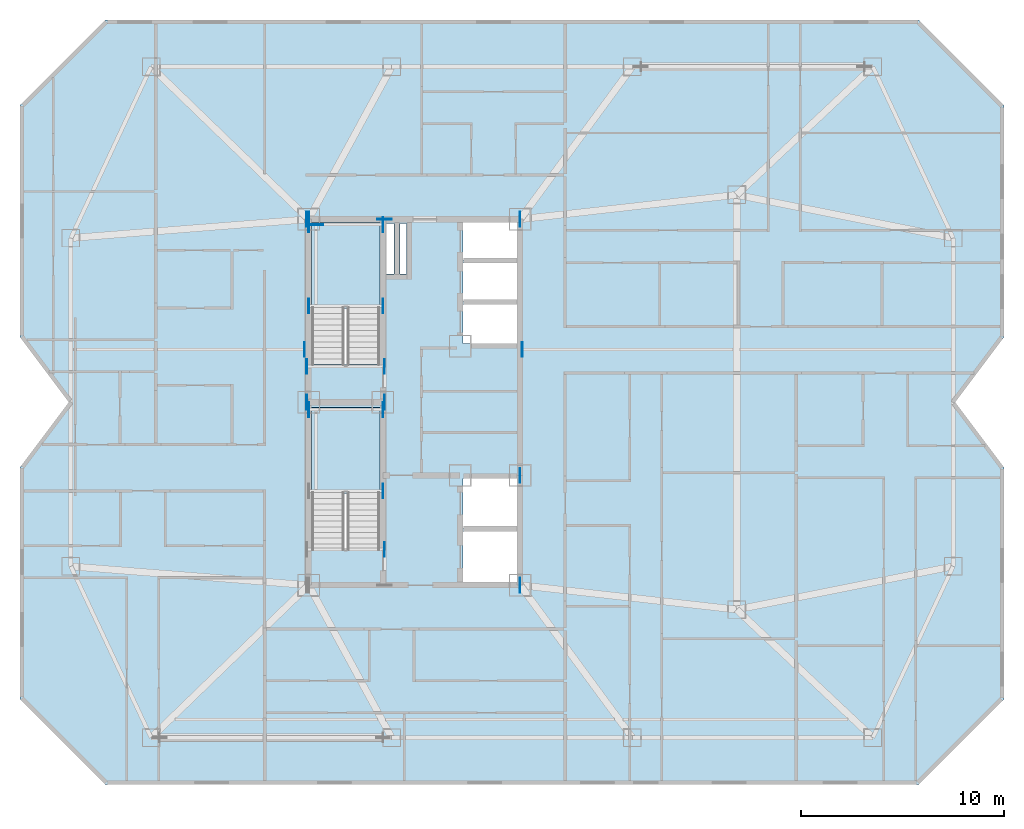
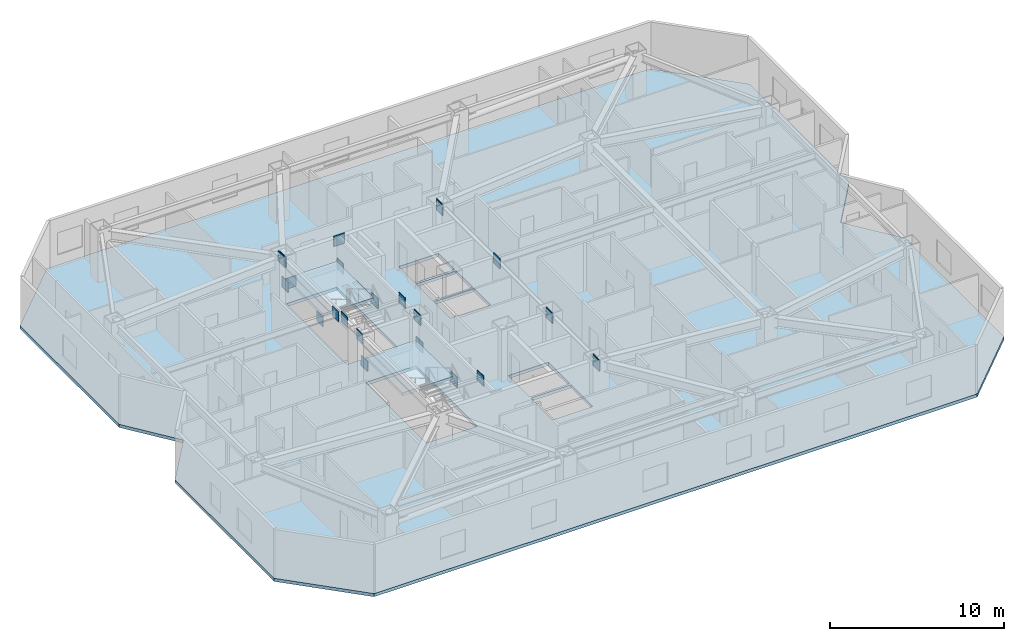
# One storey, part 2 of 11: 23 plates, 3 slabs, 2 elements without a shape of their own.
"""IFC4 building model written with IfcOpenShell, lengths in metres."""

from ifc_helpers import new_model, si_unit, direction, frame, origin, origin_2d, place, context, subcontext, project, spatial, polyline, rectangle, outline, extrude, material, layer, layer_set, type_object, element, aggregate, save


model = new_model("IFC4")

# Units and contexts
model_context = context("Model", 3, precision=1e-05, world=origin(), true_north=direction((0.0, 1.0)))
body_context = subcontext(model_context, "Body", "Model", "MODEL_VIEW")
ifc_project = project(units=[si_unit("LENGTHUNIT", "METRE"), si_unit("AREAUNIT", "SQUARE_METRE"), si_unit("VOLUMEUNIT", "CUBIC_METRE"), si_unit("PLANEANGLEUNIT", "RADIAN"), si_unit("MASSUNIT", "GRAM", prefix="KILO")], contexts=[model_context])

# Site, building, storey
site_placement = place(None, origin())
site = spatial("IfcSite", under=ifc_project, at=site_placement, CompositionType="ELEMENT")
building_placement = place(site_placement, origin())
building = spatial("IfcBuilding", under=site, at=building_placement, Name="Khamvora Tower", CompositionType="ELEMENT")
storey_placement = place(building_placement, frame((0.0, 0.0, 174.14990234375)))
storey = spatial("IfcBuildingStorey", under=building, at=storey_placement, Name="L44", CompositionType="ELEMENT", Elevation=174.14990234375)

# Plates
ifc_material_1 = material(Name="Steel S460", Category="steel")
ifc_layer_1 = layer(ifc_material_1, 0.034912109375)
ifc_layer_set_1 = layer_set([ifc_layer_1], Name="Steel S460")
plate_type = type_object("IfcPlateType", Name="PL-EMB-35", PredefinedType="SHEET", material=ifc_layer_set_1)
for number, where, z_axis, x_axis, name in (
    (1, (32.64990234375, 23.635009765625, 1.13427734375), (0.0, 0.0, 1.0), (1.0, 0.0, 0.0), "L44 core shear wall cast-in embed plate 1283"),
    (2, (29.0, 27.6298828125, 1.13427734375), (0.0, 0.0, 1.0), (1.0, 0.0, 0.0), "L44 core shear wall cast-in embed plate 1284"),
    (3, (32.64990234375, 27.6298828125, 1.13427734375), (0.0, 0.0, 1.0), (1.0, 0.0, 0.0), "L44 core shear wall cast-in embed plate 1285"),
    (4, (29.0, 32.735107421875, 1.13427734375), (0.0, 0.0, 1.0), (1.0, 0.0, 0.0), "L44 core shear wall cast-in embed plate 1286"),
    (5, (32.64990234375, 32.735107421875, 1.13427734375), (0.0, 0.0, 1.0), (1.0, 0.0, 0.0), "L44 core shear wall cast-in embed plate 1287"),
    (6, (29.0, 36.72998046875, 1.13427734375), (0.0, 0.0, 1.0), (1.0, 0.0, 0.0), "L44 core shear wall cast-in embed plate 1288"),
    (7, (32.64990234375, 36.72998046875, 1.13427734375), (0.0, 0.0, 1.0), (1.0, 0.0, 0.0), "L44 core shear wall cast-in embed plate 1289"),
):
    element("IfcPlate", number, at=place(storey_placement, frame(where, z_axis=z_axis, x_axis=x_axis)), inside=storey, type_object=plate_type, Name=name, PredefinedType="SHEET", context=body_context, shape_type="SweptSolid", body=[
        extrude(rectangle(XDim=0.034912109375, YDim=0.719970703125, at=origin_2d()), origin(), (0.0, 0.0, 1.0), 0.719970703125),
    ])
plate_1_placement = place(storey_placement, frame((29.35009765625, 36.72998046875, 1.13427734375), z_axis=(0.0, 0.0, 1.0), x_axis=(1.0, 0.0, 0.0)))
element("IfcPlate", 8, at=plate_1_placement, inside=storey, type_object=plate_type, Name="L44 core shear wall cast-in embed plate 1290", PredefinedType="SHEET", context=body_context, shape_type="SweptSolid", body=[
    extrude(rectangle(XDim=0.719970703125, YDim=0.034912109375, at=origin_2d()), origin(), (0.0, 0.0, 1.0), 0.719970703125),
])
for number, where, z_axis, x_axis, name in (
    (9, (39.39990234375, 19.0, 2.72314453125), (0.0, 0.0, 1.0), (1.0, 0.0, 0.0), "L44 core shear wall cast-in embed plate 1292"),
    (10, (29.0, 37.0, 2.72314453125), (0.0, 0.0, 1.0), (1.0, 0.0, 0.0), "L44 core shear wall cast-in embed plate 1293"),
    (11, (39.39990234375, 37.0, 2.72314453125), (0.0, 0.0, 1.0), (1.0, 0.0, 0.0), "L44 core shear wall cast-in embed plate 1294"),
    (12, (28.89990234375, 28.0, 2.80419921875), (0.0, 0.0, 1.0), (1.0, 0.0, 0.0), "L44 core shear wall cast-in embed plate 1296"),
    (13, (28.89990234375, 37.0, 2.80419921875), (0.0, 0.0, 1.0), (1.0, 0.0, 0.0), "L44 core shear wall cast-in embed plate 1297"),
    (14, (32.72998046875, 28.0, 2.80419921875), (0.0, 0.0, 1.0), (1.0, 0.0, 0.0), "L44 core shear wall cast-in embed plate 1299"),
):
    element("IfcPlate", number, at=place(storey_placement, frame(where, z_axis=z_axis, x_axis=x_axis)), inside=storey, type_object=plate_type, Name=name, PredefinedType="SHEET", context=body_context, shape_type="SweptSolid", body=[
        extrude(rectangle(XDim=0.034912109375, YDim=0.719970703125, at=origin_2d()), origin(), (0.0, 0.0, 1.0), 0.719970703125),
    ])
plate_2_placement = place(storey_placement, frame((32.72998046875, 37.0, 2.80419921875), z_axis=(0.0, 0.0, 1.0), x_axis=(1.0, 0.0, 0.0)))
element("IfcPlate", 15, at=plate_2_placement, inside=storey, type_object=plate_type, Name="L44 core shear wall cast-in embed plate 1300", PredefinedType="SHEET", context=body_context, shape_type="SweptSolid", body=[
    extrude(rectangle(XDim=0.719970703125, YDim=0.034912109375, at=origin_2d()), origin(), (0.0, 0.0, 1.0), 0.719970703125),
])
for number, where, z_axis, x_axis, name in (
    (16, (39.39990234375, 19.0, 2.80419921875), (0.0, 0.0, 1.0), (1.0, 0.0, 0.0), "L44 core shear wall cast-in embed plate 1301"),
    (17, (39.39990234375, 24.39990234375, 2.80419921875), (0.0, 0.0, 1.0), (1.0, 0.0, 0.0), "L44 core shear wall cast-in embed plate 1302"),
    (18, (39.39990234375, 37.0, 2.80419921875), (0.0, 0.0, 1.0), (1.0, 0.0, 0.0), "L44 core shear wall cast-in embed plate 1303"),
    (19, (32.72998046875, 20.75, 2.9443359375), (0.0, 0.0, 1.0), (1.0, 0.0, 0.0), "L44 core shear wall cast-in embed plate 1305"),
    (20, (28.89990234375, 29.75, 2.9443359375), (0.0, 0.0, 1.0), (1.0, 0.0, 0.0), "L44 core shear wall cast-in embed plate 1306"),
    (21, (32.72998046875, 29.75, 2.9443359375), (0.0, 0.0, 1.0), (1.0, 0.0, 0.0), "L44 core shear wall cast-in embed plate 1307"),
    (22, (28.800048828125, 30.60009765625, 2.84130859375), (0.0, 0.0, 1.0), (1.0, 0.0, 0.0), "L44 core shear wall cast-in embed plate 1308"),
    (23, (39.4990234375, 30.60009765625, 2.84130859375), (0.0, 0.0, 1.0), (1.0, 0.0, 0.0), "L44 core shear wall cast-in embed plate 1309"),
):
    element("IfcPlate", number, at=place(storey_placement, frame(where, z_axis=z_axis, x_axis=x_axis)), inside=storey, type_object=plate_type, Name=name, PredefinedType="SHEET", context=body_context, shape_type="SweptSolid", body=[
        extrude(rectangle(XDim=0.034912109375, YDim=0.719970703125, at=origin_2d()), origin(), (0.0, 0.0, 1.0), 0.719970703125),
    ])

# Stair, slab
ifc_material_2 = material(Name="Concrete C40/50", Category="concrete")
stair_type_1 = type_object("IfcStairType", Name="STR-ST-01", PredefinedType="HALF_TURN_STAIR", material=ifc_material_2)
stair_1_placement = place(storey_placement, origin())
stair_1 = element("IfcStair", 24, at=stair_1_placement, inside=storey, type_object=stair_type_1, Name="L44 South Tower Exit Stair ST-01", PredefinedType="HALF_TURN_STAIR")
ifc_layer_2 = layer(ifc_material_2, 0.199951171875)
ifc_layer_set_2 = layer_set([ifc_layer_2], Name="Concrete C40/50")
slab_type_1 = type_object("IfcSlabType", Name="SLB-LND-200", PredefinedType="LANDING", material=ifc_layer_set_2)
slab_1_placement = place(storey_placement, frame((0.0, 0.0, 1.625)))
slab_1 = element("IfcSlab", 25, at=slab_1_placement, type_object=slab_type_1, Name="ST-01 landing 1", PredefinedType="LANDING", context=body_context, shape_type="SweptSolid", body=[
    extrude(outline(polyline([(32.5, 23.514892578125), (32.5, 27.75), (29.14990234375, 27.75), (29.14990234375, 23.514892578125), (32.5, 23.514892578125)])), origin(), (0.0, 0.0, 1.0), 0.2001953125),
])
aggregate(stair_1, [slab_1])

stair_type_2 = type_object("IfcStairType", Name="STR-ST-02", PredefinedType="HALF_TURN_STAIR", material=ifc_material_2)
stair_2_placement = place(storey_placement, origin())
stair_2 = element("IfcStair", 26, at=stair_2_placement, inside=storey, type_object=stair_type_2, Name="L44 North Tower Exit Stair ST-02", PredefinedType="HALF_TURN_STAIR")
slab_2_placement = place(storey_placement, frame((0.0, 0.0, 1.625)))
slab_2 = element("IfcSlab", 27, at=slab_2_placement, type_object=slab_type_1, Name="ST-02 landing 1", PredefinedType="LANDING", context=body_context, shape_type="SweptSolid", body=[
    extrude(outline(polyline([(32.5, 32.614990234375), (32.5, 36.85009765625), (29.14990234375, 36.85009765625), (29.14990234375, 32.614990234375), (32.5, 32.614990234375)])), origin(), (0.0, 0.0, 1.0), 0.2001953125),
])
aggregate(stair_2, [slab_2])

# Slab
ifc_material_3 = material(Name="Concrete C35/45", Category="concrete")
ifc_layer_3 = layer(ifc_material_3, 0.219970703125)
ifc_layer_set_3 = layer_set([ifc_layer_3], Name="Concrete C35/45")
slab_type_2 = type_object("IfcSlabType", Name="SLB-TYP-220", PredefinedType="FLOOR", material=ifc_layer_set_3)
slab_3_placement = place(storey_placement, frame((0.0, 0.0, -0.219970703125)))
element("IfcSlab", 28, at=slab_3_placement, inside=storey, type_object=slab_type_2, Name="L44 structural floor slab", PredefinedType="FLOOR", context=body_context, shape_type="SweptSolid", body=[
    extrude(outline(polyline([(19.0, 9.199951171875), (59.0, 9.199951171875), (63.199951171875, 13.39990234375), (63.199951171875, 24.800048828125), (60.800048828125, 28.0), (63.199951171875, 31.199951171875), (63.199951171875, 42.60009765625), (59.0, 46.800048828125), (19.0, 46.800048828125), (14.800048828125, 42.60009765625), (14.800048828125, 31.199951171875), (17.199951171875, 28.0), (14.800048828125, 24.800048828125), (14.800048828125, 13.39990234375), (19.0, 9.199951171875)]), holes=[polyline([(32.5, 20.760009765625), (32.5, 27.75), (29.14990234375, 27.75), (29.14990234375, 20.760009765625), (32.5, 20.760009765625)]), polyline([(32.5, 29.860107421875), (32.5, 36.85009765625), (29.14990234375, 36.85009765625), (29.14990234375, 29.860107421875), (32.5, 29.860107421875)]), polyline([(36.60009765625, 19.14990234375), (39.25, 19.14990234375), (39.25, 21.64990234375), (36.60009765625, 21.64990234375), (36.60009765625, 19.14990234375)]), polyline([(36.60009765625, 21.800048828125), (39.25, 21.800048828125), (39.25, 24.25), (36.60009765625, 24.25), (36.60009765625, 21.800048828125)]), polyline([(36.60009765625, 30.89990234375), (39.25, 30.89990234375), (39.25, 32.800048828125), (36.60009765625, 32.800048828125), (36.60009765625, 30.89990234375)]), polyline([(36.60009765625, 32.949951171875), (39.25, 32.949951171875), (39.25, 34.85009765625), (36.60009765625, 34.85009765625), (36.60009765625, 32.949951171875)]), polyline([(36.60009765625, 35.0), (39.25, 35.0), (39.25, 36.85009765625), (36.60009765625, 36.85009765625), (36.60009765625, 35.0)]), polyline([(32.800048828125, 34.300048828125), (33.199951171875, 34.300048828125), (33.199951171875, 36.800048828125), (32.800048828125, 36.800048828125), (32.800048828125, 34.300048828125)]), polyline([(33.47998046875, 34.300048828125), (33.820068359375, 34.300048828125), (33.820068359375, 36.800048828125), (33.47998046875, 36.800048828125), (33.47998046875, 34.300048828125)])]), origin(), (0.0, 0.0, 1.0), 0.219970703125),
])

save(model, "model.ifc")
